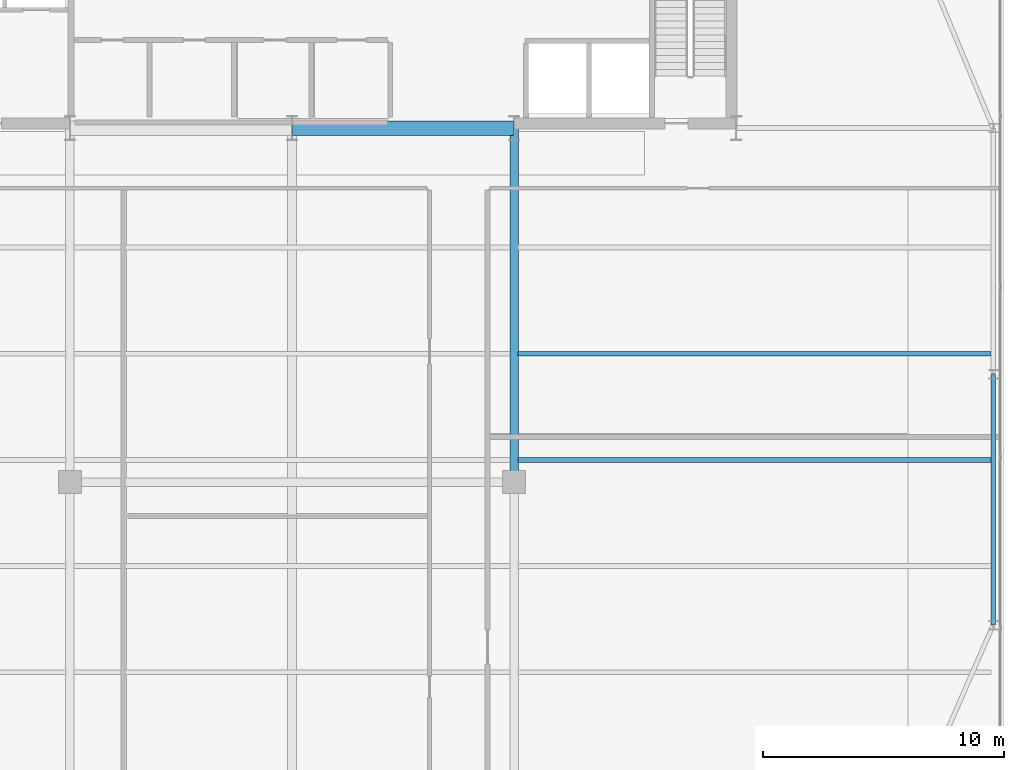
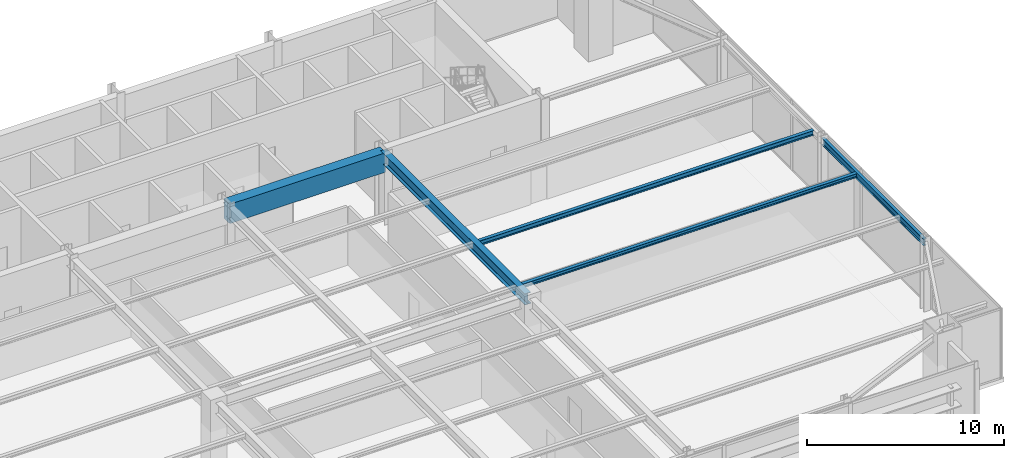
# One storey, part 22 of 32: 5 beams.
"""IFC4 building model written with IfcOpenShell, lengths in metres."""

from ifc_helpers import new_model, si_unit, direction, frame, origin, origin_2d, place, context, subcontext, project, spatial, rectangle, i_section, extrude, source, transform, mapped, material, material_profile, profile_set, type_object, type_shapes, element, save


model = new_model("IFC4")

# Units and contexts
model_context = context("Model", 3, precision=1e-05, world=origin(), true_north=direction((0.0, 1.0)))
body_context = subcontext(model_context, "Body", "Model", "MODEL_VIEW")
ifc_project = project(units=[si_unit("LENGTHUNIT", "METRE"), si_unit("AREAUNIT", "SQUARE_METRE"), si_unit("VOLUMEUNIT", "CUBIC_METRE"), si_unit("PLANEANGLEUNIT", "RADIAN"), si_unit("MASSUNIT", "GRAM", prefix="KILO")], contexts=[model_context])

# Site, building, storey
site_placement = place(None, origin())
site = spatial("IfcSite", under=ifc_project, at=site_placement, CompositionType="ELEMENT")
building_placement = place(site_placement, origin())
building = spatial("IfcBuilding", under=site, at=building_placement, Name="Varnel Quay Broadcast Tower", CompositionType="ELEMENT")
storey_placement = place(building_placement, frame((0.0, 0.0, 98.39990234375)))
storey = spatial("IfcBuildingStorey", under=building, at=storey_placement, Name="L23", CompositionType="ELEMENT", Elevation=98.39990234375)

# Beams
ifc_material_1 = material(Name="Structural Steel CSA G40.21 350W", Category="steel")
ifc_material_profile_1 = material_profile(ifc_material_1, i_section(OverallWidth=0.180908203125, OverallDepth=0.4169921875, WebThickness=0.010986328125, FlangeThickness=0.018310546875, FilletRadius=0.011962890625, at=origin_2d()), Name="W410X85")
ifc_profile_set_1 = profile_set([ifc_material_profile_1], Name="Structural Steel CSA G40.21 350W")
beam_type_1 = type_object("IfcBeamType", Name="Beam_W410X85", PredefinedType="SPANDREL", material=ifc_profile_set_1)
shared_shape_1 = source(origin(), body_context, "Body", "SweptSolid", [
    extrude(i_section(OverallWidth=0.180908203125, OverallDepth=0.4169921875, WebThickness=0.010986328125, FlangeThickness=0.018310546875, FilletRadius=0.011962890625, at=origin_2d()), origin(), (0.0, 0.0, 1.0), 10.35986328125),
])
type_shapes(beam_type_1, [shared_shape_1])
beam_1_placement = place(storey_placement, frame((63.050048828125, 15.02001953125, 4.1416015625), z_axis=(0.0, 1.0, 0.0), x_axis=(-1.0, 0.0, 0.0)))
element("IfcBeam", 1, at=beam_1_placement, inside=storey, type_object=beam_type_1, Name="L23 East Spandrel TC-E1-TC-E2", PredefinedType="SPANDREL", context=body_context, shape_type="MappedRepresentation", body=[
    mapped(shared_shape_1, transform((0.0, 0.0, 0.0), x_axis=(1.0, 0.0, 0.0), y_axis=(0.0, 1.0, 0.0), z_axis=(0.0, 0.0, 1.0), scale=1.0)),
])
ifc_material_2 = material(Name="Concrete CSA A23.3 C60/75", Category="concrete")
ifc_material_profile_2 = material_profile(ifc_material_2, rectangle(XDim=0.60009765625, YDim=1.199951171875, at=origin_2d()), Name="RC600X1200")
ifc_profile_set_2 = profile_set([ifc_material_profile_2], Name="Concrete CSA A23.3 C60/75")
beam_type_2 = type_object("IfcBeamType", Name="Beam_RC600X1200", PredefinedType="BEAM", material=ifc_profile_set_2)
shared_shape_2 = source(origin(), body_context, "Body", "SweptSolid", [
    extrude(rectangle(XDim=0.60009765625, YDim=1.199951171875, at=origin_2d()), origin(), (0.0, 0.0, 1.0), 9.159912109375),
])
type_shapes(beam_type_2, [shared_shape_2])
beam_2_placement = place(storey_placement, frame((34.02001953125, 35.60009765625, 3.75), z_axis=(1.0, 0.0, 0.0), x_axis=(0.0, 1.0, 0.0)))
element("IfcBeam", 2, at=beam_2_placement, inside=storey, type_object=beam_type_2, Name="L23 Core Coupling Beam E", PredefinedType="BEAM", context=body_context, shape_type="MappedRepresentation", body=[
    mapped(shared_shape_2, transform((0.0, 0.0, 0.0), x_axis=(1.0, 0.0, 0.0), y_axis=(0.0, 1.0, 0.0), z_axis=(0.0, 0.0, 1.0), scale=1.0)),
])
ifc_material_profile_3 = material_profile(ifc_material_1, i_section(OverallWidth=0.35498046875, OverallDepth=0.695068359375, WebThickness=0.015380859375, FlangeThickness=0.02490234375, FilletRadius=0.01806640625, at=origin_2d()), Name="W690X217")
ifc_profile_set_3 = profile_set([ifc_material_profile_3], Name="Structural Steel CSA G40.21 350W")
beam_type_3 = type_object("IfcBeamType", Name="Girder_W690X217", PredefinedType="BEAM", material=ifc_profile_set_3)
shared_shape_3 = source(origin(), body_context, "Body", "SweptSolid", [
    extrude(i_section(OverallWidth=0.35498046875, OverallDepth=0.695068359375, WebThickness=0.015380859375, FlangeThickness=0.02490234375, FilletRadius=0.01806640625, at=origin_2d()), origin(), (0.0, 0.0, 1.0), 14.630126953125),
])
type_shapes(beam_type_3, [shared_shape_3])
beam_3_placement = place(storey_placement, frame((43.199951171875, 20.949951171875, 4.002685546875), z_axis=(0.0, 1.0, 0.0), x_axis=(-1.0, 0.0, 0.0)))
element("IfcBeam", 3, at=beam_3_placement, inside=storey, type_object=beam_type_3, Name="L23 Primary Girder IC-02-CC-S4", PredefinedType="BEAM", context=body_context, shape_type="MappedRepresentation", body=[
    mapped(shared_shape_3, transform((0.0, 0.0, 0.0), x_axis=(1.0, 0.0, 0.0), y_axis=(0.0, 1.0, 0.0), z_axis=(0.0, 0.0, 1.0), scale=1.0)),
])
ifc_material_profile_4 = material_profile(ifc_material_1, i_section(OverallWidth=0.202880859375, OverallDepth=0.302978515625, WebThickness=0.007568359375, FlangeThickness=0.01318359375, FilletRadius=0.011962890625, at=origin_2d()), Name="W310X60")
ifc_profile_set_4 = profile_set([ifc_material_profile_4], Name="Structural Steel CSA G40.21 350W")
beam_type_4 = type_object("IfcBeamType", Name="Beam_W310X60", PredefinedType="JOIST", material=ifc_profile_set_4)
shared_shape_4 = source(origin(), body_context, "Body", "SweptSolid", [
    extrude(i_section(OverallWidth=0.202880859375, OverallDepth=0.302978515625, WebThickness=0.007568359375, FlangeThickness=0.01318359375, FilletRadius=0.011962890625, at=origin_2d()), origin(), (0.0, 0.0, 1.0), 19.592041015625),
])
type_shapes(beam_type_4, [shared_shape_4])
beam_4_placement = place(storey_placement, frame((43.37255859375, 26.25, 4.198486328125), z_axis=(1.0, 0.0, 0.0), x_axis=(0.0, 1.0, 0.0)))
element("IfcBeam", 4, at=beam_4_placement, inside=storey, type_object=beam_type_4, Name="L23 East Floor Joist 5", PredefinedType="JOIST", context=body_context, shape_type="MappedRepresentation", body=[
    mapped(shared_shape_4, transform((0.0, 0.0, 0.0), x_axis=(1.0, 0.0, 0.0), y_axis=(0.0, 1.0, 0.0), z_axis=(0.0, 0.0, 1.0), scale=1.0)),
])
ifc_material_profile_5 = material_profile(ifc_material_1, i_section(OverallWidth=0.201904296875, OverallDepth=0.2470703125, WebThickness=0.00732421875, FlangeThickness=0.010986328125, FilletRadius=0.010986328125, at=origin_2d()), Name="W250X49")
ifc_profile_set_5 = profile_set([ifc_material_profile_5], Name="Structural Steel CSA G40.21 350W")
beam_type_5 = type_object("IfcBeamType", Name="Beam_W250X49", PredefinedType="JOIST", material=ifc_profile_set_5)
shared_shape_5 = source(origin(), body_context, "Body", "SweptSolid", [
    extrude(i_section(OverallWidth=0.201904296875, OverallDepth=0.2470703125, WebThickness=0.00732421875, FlangeThickness=0.010986328125, FilletRadius=0.010986328125, at=origin_2d()), origin(), (0.0, 0.0, 1.0), 19.592041015625),
])
type_shapes(beam_type_5, [shared_shape_5])
beam_5_placement = place(storey_placement, frame((43.37255859375, 21.85009765625, 4.2265625), z_axis=(1.0, 0.0, 0.0), x_axis=(0.0, 1.0, 0.0)))
element("IfcBeam", 5, at=beam_5_placement, inside=storey, type_object=beam_type_5, Name="L23 East Floor Joist 4", PredefinedType="JOIST", context=body_context, shape_type="MappedRepresentation", body=[
    mapped(shared_shape_5, transform((0.0, 0.0, 0.0), x_axis=(1.0, 0.0, 0.0), y_axis=(0.0, 1.0, 0.0), z_axis=(0.0, 0.0, 1.0), scale=1.0)),
])

save(model, "model.ifc")
